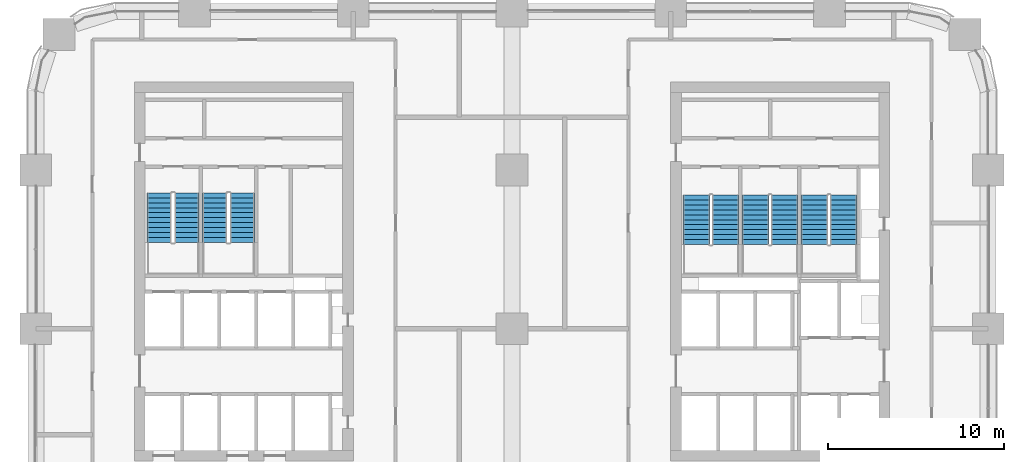
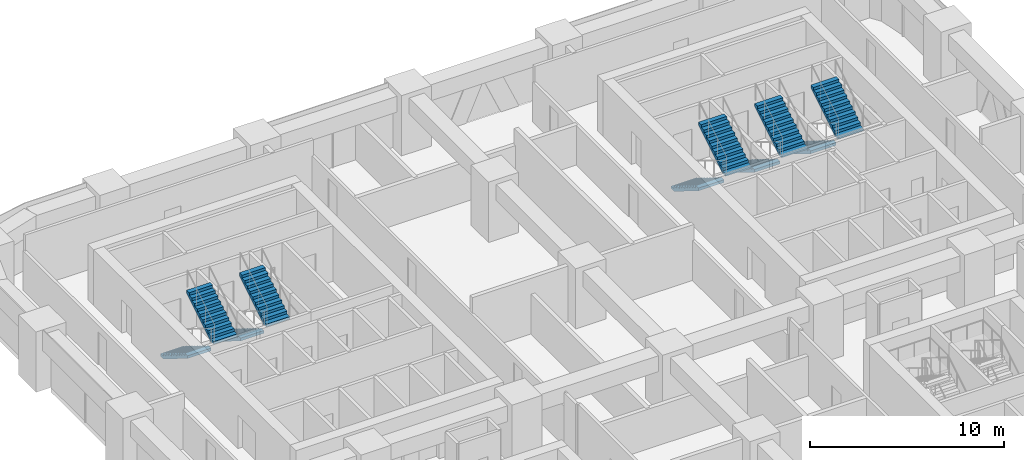
# One storey, part 19 of 21: 10 stair flights, 5 elements without a shape of their own.
"""IFC4 building model written with IfcOpenShell, lengths in metres."""

from ifc_helpers import new_model, si_unit, direction, frame, origin, place, context, subcontext, project, spatial, polyline, outline, extrude, material, type_object, element, aggregate, save


model = new_model("IFC4")

# Units and contexts
model_context = context("Model", 3, precision=1e-05, world=origin(), true_north=direction((0.0, 1.0)))
body_context = subcontext(model_context, "Body", "Model", "MODEL_VIEW")
ifc_project = project(units=[si_unit("LENGTHUNIT", "METRE"), si_unit("AREAUNIT", "SQUARE_METRE"), si_unit("VOLUMEUNIT", "CUBIC_METRE"), si_unit("PLANEANGLEUNIT", "RADIAN"), si_unit("MASSUNIT", "GRAM", prefix="KILO")], contexts=[model_context])

# Site, building, storey
site_placement = place(None, origin())
site = spatial("IfcSite", under=ifc_project, at=site_placement, CompositionType="ELEMENT")
building_placement = place(site_placement, origin())
building = spatial("IfcBuilding", under=site, at=building_placement, Name="Tessera Arch", CompositionType="ELEMENT")
storey_placement = place(building_placement, frame((0.0, 0.0, 65.199951171875)))
storey = spatial("IfcBuildingStorey", under=building, at=storey_placement, Name="L14", CompositionType="ELEMENT", Elevation=65.199951171875)

# Stair, stair flights
ifc_material_1 = material(Name="Concrete C40/50", Category="concrete")
stair_type_1 = type_object("IfcStairType", Name="Dogleg stair 1400", PredefinedType="HALF_TURN_STAIR", material=ifc_material_1)
stair_1_placement = place(storey_placement, origin())
stair_1 = element("IfcStair", 1, at=stair_1_placement, inside=storey, type_object=stair_type_1, Name="L14 S2a", PredefinedType="HALF_TURN_STAIR")
ifc_material_2 = material(Name="Concrete C40/50", Category="concrete")
stair_flight_type_1 = type_object("IfcStairFlightType", Name="Stair flight 1400", PredefinedType="STRAIGHT", material=ifc_material_2)
stair_flight_1_placement = place(storey_placement, frame((7.0, 43.699951171875, 0.0), z_axis=(0.0, 0.0, 1.0), x_axis=(0.0, -1.0, 0.0)))
stair_flight_1 = element("IfcStairFlight", 2, at=stair_flight_1_placement, type_object=stair_flight_type_1, Name="S2a flight 1", NumberOfRisers=11, NumberOfTreads=10, PredefinedType="STRAIGHT", RiserHeight=0.172727273, TreadLength=0.28, context=body_context, shape_type="SweptSolid", body=[
    extrude(outline(polyline([(0.0, 0.0), (0.0, 0.172607421875), (0.280029296875, 0.172607421875), (0.280029296875, 0.345458984375), (0.56005859375, 0.345458984375), (0.56005859375, 0.51806640625), (0.840087890625, 0.51806640625), (0.840087890625, 0.69091796875), (1.1201171875, 0.69091796875), (1.1201171875, 0.863525390625), (1.39990234375, 0.863525390625), (1.39990234375, 1.036376953125), (1.679931640625, 1.036376953125), (1.679931640625, 1.208984375), (1.9599609375, 1.208984375), (1.9599609375, 1.3818359375), (2.239990234375, 1.3818359375), (2.239990234375, 1.554443359375), (2.52001953125, 1.554443359375), (2.52001953125, 1.727294921875), (2.800048828125, 1.727294921875), (2.800048828125, 1.89990234375), (2.800048828125, 1.551025390625), (0.285400390625, 0.0), (0.0, 0.0)])), frame((0.0, 0.699951171875, 0.0), z_axis=(0.0, -1.0, 0.0), x_axis=(1.0, 0.0, 0.0)), (0.0, 0.0, 1.0), 1.39990234375),
])
stair_flight_2_placement = place(storey_placement, frame((8.550048828125, 40.89990234375, 1.900146484375), z_axis=(0.0, 0.0, 1.0), x_axis=(0.0, 1.0, 0.0)))
stair_flight_2 = element("IfcStairFlight", 3, at=stair_flight_2_placement, type_object=stair_flight_type_1, Name="S2a flight 2", NumberOfRisers=11, NumberOfTreads=10, PredefinedType="STRAIGHT", RiserHeight=0.172727273, TreadLength=0.28, context=body_context, shape_type="SweptSolid", body=[
    extrude(outline(polyline([(0.0, 0.0), (0.0, 0.172607421875), (0.280029296875, 0.172607421875), (0.280029296875, 0.345458984375), (0.56005859375, 0.345458984375), (0.56005859375, 0.51806640625), (0.840087890625, 0.51806640625), (0.840087890625, 0.69091796875), (1.1201171875, 0.69091796875), (1.1201171875, 0.863525390625), (1.39990234375, 0.863525390625), (1.39990234375, 1.036376953125), (1.679931640625, 1.036376953125), (1.679931640625, 1.208984375), (1.9599609375, 1.208984375), (1.9599609375, 1.3818359375), (2.239990234375, 1.3818359375), (2.239990234375, 1.554443359375), (2.52001953125, 1.554443359375), (2.52001953125, 1.727294921875), (2.800048828125, 1.727294921875), (2.800048828125, 1.89990234375), (2.800048828125, 1.551025390625), (0.285400390625, 0.0), (0.0, 0.0)])), frame((0.0, 0.699951171875, 0.0), z_axis=(0.0, -1.0, 0.0), x_axis=(1.0, 0.0, 0.0)), (0.0, 0.0, 1.0), 1.39990234375),
])
aggregate(stair_1, [stair_flight_1, stair_flight_2])

stair_2_placement = place(storey_placement, origin())
stair_2 = element("IfcStair", 4, at=stair_2_placement, inside=storey, type_object=stair_type_1, Name="L14 S2b", PredefinedType="HALF_TURN_STAIR")
stair_flight_3_placement = place(storey_placement, frame((10.14990234375, 43.699951171875, 0.0), z_axis=(0.0, 0.0, 1.0), x_axis=(0.0, -1.0, 0.0)))
stair_flight_3 = element("IfcStairFlight", 5, at=stair_flight_3_placement, type_object=stair_flight_type_1, Name="S2b flight 1", NumberOfRisers=11, NumberOfTreads=10, PredefinedType="STRAIGHT", RiserHeight=0.172727273, TreadLength=0.28, context=body_context, shape_type="SweptSolid", body=[
    extrude(outline(polyline([(0.0, 0.0), (0.0, 0.172607421875), (0.280029296875, 0.172607421875), (0.280029296875, 0.345458984375), (0.56005859375, 0.345458984375), (0.56005859375, 0.51806640625), (0.840087890625, 0.51806640625), (0.840087890625, 0.69091796875), (1.1201171875, 0.69091796875), (1.1201171875, 0.863525390625), (1.39990234375, 0.863525390625), (1.39990234375, 1.036376953125), (1.679931640625, 1.036376953125), (1.679931640625, 1.208984375), (1.9599609375, 1.208984375), (1.9599609375, 1.3818359375), (2.239990234375, 1.3818359375), (2.239990234375, 1.554443359375), (2.52001953125, 1.554443359375), (2.52001953125, 1.727294921875), (2.800048828125, 1.727294921875), (2.800048828125, 1.89990234375), (2.800048828125, 1.551025390625), (0.285400390625, 0.0), (0.0, 0.0)])), frame((0.0, 0.699951171875, 0.0), z_axis=(0.0, -1.0, 0.0), x_axis=(1.0, 0.0, 0.0)), (0.0, 0.0, 1.0), 1.39990234375),
])
stair_flight_4_placement = place(storey_placement, frame((11.699951171875, 40.89990234375, 1.900146484375), z_axis=(0.0, 0.0, 1.0), x_axis=(0.0, 1.0, 0.0)))
stair_flight_4 = element("IfcStairFlight", 6, at=stair_flight_4_placement, type_object=stair_flight_type_1, Name="S2b flight 2", NumberOfRisers=11, NumberOfTreads=10, PredefinedType="STRAIGHT", RiserHeight=0.172727273, TreadLength=0.28, context=body_context, shape_type="SweptSolid", body=[
    extrude(outline(polyline([(0.0, 0.0), (0.0, 0.172607421875), (0.280029296875, 0.172607421875), (0.280029296875, 0.345458984375), (0.56005859375, 0.345458984375), (0.56005859375, 0.51806640625), (0.840087890625, 0.51806640625), (0.840087890625, 0.69091796875), (1.1201171875, 0.69091796875), (1.1201171875, 0.863525390625), (1.39990234375, 0.863525390625), (1.39990234375, 1.036376953125), (1.679931640625, 1.036376953125), (1.679931640625, 1.208984375), (1.9599609375, 1.208984375), (1.9599609375, 1.3818359375), (2.239990234375, 1.3818359375), (2.239990234375, 1.554443359375), (2.52001953125, 1.554443359375), (2.52001953125, 1.727294921875), (2.800048828125, 1.727294921875), (2.800048828125, 1.89990234375), (2.800048828125, 1.551025390625), (0.285400390625, 0.0), (0.0, 0.0)])), frame((0.0, 0.699951171875, 0.0), z_axis=(0.0, -1.0, 0.0), x_axis=(1.0, 0.0, 0.0)), (0.0, 0.0, 1.0), 1.39990234375),
])
aggregate(stair_2, [stair_flight_3, stair_flight_4])

ifc_material_3 = material(Name="Concrete C40/50", Category="concrete")
stair_type_2 = type_object("IfcStairType", Name="Dogleg stair 1520", PredefinedType="HALF_TURN_STAIR", material=ifc_material_3)
stair_3_placement = place(storey_placement, origin())
stair_3 = element("IfcStair", 7, at=stair_3_placement, inside=storey, type_object=stair_type_2, Name="L14 S1a", PredefinedType="HALF_TURN_STAIR")
ifc_material_4 = material(Name="Concrete C40/50", Category="concrete")
stair_flight_type_2 = type_object("IfcStairFlightType", Name="Stair flight 1520", PredefinedType="STRAIGHT", material=ifc_material_4)
stair_flight_5_placement = place(storey_placement, frame((37.4599609375, 43.580078125, 0.0), z_axis=(0.0, 0.0, 1.0), x_axis=(0.0, -1.0, 0.0)))
stair_flight_5 = element("IfcStairFlight", 8, at=stair_flight_5_placement, type_object=stair_flight_type_2, Name="S1a flight 1", NumberOfRisers=11, NumberOfTreads=10, PredefinedType="STRAIGHT", RiserHeight=0.172727273, TreadLength=0.28, context=body_context, shape_type="SweptSolid", body=[
    extrude(outline(polyline([(0.0, 0.0), (0.0, 0.172607421875), (0.280029296875, 0.172607421875), (0.280029296875, 0.345458984375), (0.56005859375, 0.345458984375), (0.56005859375, 0.51806640625), (0.840087890625, 0.51806640625), (0.840087890625, 0.69091796875), (1.1201171875, 0.69091796875), (1.1201171875, 0.863525390625), (1.39990234375, 0.863525390625), (1.39990234375, 1.036376953125), (1.679931640625, 1.036376953125), (1.679931640625, 1.208984375), (1.9599609375, 1.208984375), (1.9599609375, 1.3818359375), (2.239990234375, 1.3818359375), (2.239990234375, 1.554443359375), (2.52001953125, 1.554443359375), (2.52001953125, 1.727294921875), (2.800048828125, 1.727294921875), (2.800048828125, 1.89990234375), (2.800048828125, 1.551025390625), (0.285400390625, 0.0), (0.0, 0.0)])), frame((0.0, 0.760009765625, 0.0), z_axis=(0.0, -1.0, 0.0), x_axis=(1.0, 0.0, 0.0)), (0.0, 0.0, 1.0), 1.52001953125),
])
stair_flight_6_placement = place(storey_placement, frame((39.090087890625, 40.780029296875, 1.900146484375), z_axis=(0.0, 0.0, 1.0), x_axis=(0.0, 1.0, 0.0)))
stair_flight_6 = element("IfcStairFlight", 9, at=stair_flight_6_placement, type_object=stair_flight_type_2, Name="S1a flight 2", NumberOfRisers=11, NumberOfTreads=10, PredefinedType="STRAIGHT", RiserHeight=0.172727273, TreadLength=0.28, context=body_context, shape_type="SweptSolid", body=[
    extrude(outline(polyline([(0.0, 0.0), (0.0, 0.172607421875), (0.280029296875, 0.172607421875), (0.280029296875, 0.345458984375), (0.56005859375, 0.345458984375), (0.56005859375, 0.51806640625), (0.840087890625, 0.51806640625), (0.840087890625, 0.69091796875), (1.1201171875, 0.69091796875), (1.1201171875, 0.863525390625), (1.39990234375, 0.863525390625), (1.39990234375, 1.036376953125), (1.679931640625, 1.036376953125), (1.679931640625, 1.208984375), (1.9599609375, 1.208984375), (1.9599609375, 1.3818359375), (2.239990234375, 1.3818359375), (2.239990234375, 1.554443359375), (2.52001953125, 1.554443359375), (2.52001953125, 1.727294921875), (2.800048828125, 1.727294921875), (2.800048828125, 1.89990234375), (2.800048828125, 1.551025390625), (0.285400390625, 0.0), (0.0, 0.0)])), frame((0.0, 0.760009765625, 0.0), z_axis=(0.0, -1.0, 0.0), x_axis=(1.0, 0.0, 0.0)), (0.0, 0.0, 1.0), 1.52001953125),
])
aggregate(stair_3, [stair_flight_5, stair_flight_6])

stair_4_placement = place(storey_placement, origin())
stair_4 = element("IfcStair", 10, at=stair_4_placement, inside=storey, type_object=stair_type_2, Name="L14 S1b", PredefinedType="HALF_TURN_STAIR")
stair_flight_7_placement = place(storey_placement, frame((40.81005859375, 43.580078125, 0.0), z_axis=(0.0, 0.0, 1.0), x_axis=(0.0, -1.0, 0.0)))
stair_flight_7 = element("IfcStairFlight", 11, at=stair_flight_7_placement, type_object=stair_flight_type_2, Name="S1b flight 1", NumberOfRisers=11, NumberOfTreads=10, PredefinedType="STRAIGHT", RiserHeight=0.172727273, TreadLength=0.28, context=body_context, shape_type="SweptSolid", body=[
    extrude(outline(polyline([(0.0, 0.0), (0.0, 0.172607421875), (0.280029296875, 0.172607421875), (0.280029296875, 0.345458984375), (0.56005859375, 0.345458984375), (0.56005859375, 0.51806640625), (0.840087890625, 0.51806640625), (0.840087890625, 0.69091796875), (1.1201171875, 0.69091796875), (1.1201171875, 0.863525390625), (1.39990234375, 0.863525390625), (1.39990234375, 1.036376953125), (1.679931640625, 1.036376953125), (1.679931640625, 1.208984375), (1.9599609375, 1.208984375), (1.9599609375, 1.3818359375), (2.239990234375, 1.3818359375), (2.239990234375, 1.554443359375), (2.52001953125, 1.554443359375), (2.52001953125, 1.727294921875), (2.800048828125, 1.727294921875), (2.800048828125, 1.89990234375), (2.800048828125, 1.551025390625), (0.285400390625, 0.0), (0.0, 0.0)])), frame((0.0, 0.760009765625, 0.0), z_axis=(0.0, -1.0, 0.0), x_axis=(1.0, 0.0, 0.0)), (0.0, 0.0, 1.0), 1.52001953125),
])
stair_flight_8_placement = place(storey_placement, frame((42.43994140625, 40.780029296875, 1.900146484375), z_axis=(0.0, 0.0, 1.0), x_axis=(0.0, 1.0, 0.0)))
stair_flight_8 = element("IfcStairFlight", 12, at=stair_flight_8_placement, type_object=stair_flight_type_2, Name="S1b flight 2", NumberOfRisers=11, NumberOfTreads=10, PredefinedType="STRAIGHT", RiserHeight=0.172727273, TreadLength=0.28, context=body_context, shape_type="SweptSolid", body=[
    extrude(outline(polyline([(0.0, 0.0), (0.0, 0.172607421875), (0.280029296875, 0.172607421875), (0.280029296875, 0.345458984375), (0.56005859375, 0.345458984375), (0.56005859375, 0.51806640625), (0.840087890625, 0.51806640625), (0.840087890625, 0.69091796875), (1.1201171875, 0.69091796875), (1.1201171875, 0.863525390625), (1.39990234375, 0.863525390625), (1.39990234375, 1.036376953125), (1.679931640625, 1.036376953125), (1.679931640625, 1.208984375), (1.9599609375, 1.208984375), (1.9599609375, 1.3818359375), (2.239990234375, 1.3818359375), (2.239990234375, 1.554443359375), (2.52001953125, 1.554443359375), (2.52001953125, 1.727294921875), (2.800048828125, 1.727294921875), (2.800048828125, 1.89990234375), (2.800048828125, 1.551025390625), (0.285400390625, 0.0), (0.0, 0.0)])), frame((0.0, 0.760009765625, 0.0), z_axis=(0.0, -1.0, 0.0), x_axis=(1.0, 0.0, 0.0)), (0.0, 0.0, 1.0), 1.52001953125),
])
aggregate(stair_4, [stair_flight_7, stair_flight_8])

stair_5_placement = place(storey_placement, origin())
stair_5 = element("IfcStair", 13, at=stair_5_placement, inside=storey, type_object=stair_type_2, Name="L14 S1c", PredefinedType="HALF_TURN_STAIR")
stair_flight_9_placement = place(storey_placement, frame((44.159912109375, 43.580078125, 0.0), z_axis=(0.0, 0.0, 1.0), x_axis=(0.0, -1.0, 0.0)))
stair_flight_9 = element("IfcStairFlight", 14, at=stair_flight_9_placement, type_object=stair_flight_type_2, Name="S1c flight 1", NumberOfRisers=11, NumberOfTreads=10, PredefinedType="STRAIGHT", RiserHeight=0.172727273, TreadLength=0.28, context=body_context, shape_type="SweptSolid", body=[
    extrude(outline(polyline([(0.0, 0.0), (0.0, 0.172607421875), (0.280029296875, 0.172607421875), (0.280029296875, 0.345458984375), (0.56005859375, 0.345458984375), (0.56005859375, 0.51806640625), (0.840087890625, 0.51806640625), (0.840087890625, 0.69091796875), (1.1201171875, 0.69091796875), (1.1201171875, 0.863525390625), (1.39990234375, 0.863525390625), (1.39990234375, 1.036376953125), (1.679931640625, 1.036376953125), (1.679931640625, 1.208984375), (1.9599609375, 1.208984375), (1.9599609375, 1.3818359375), (2.239990234375, 1.3818359375), (2.239990234375, 1.554443359375), (2.52001953125, 1.554443359375), (2.52001953125, 1.727294921875), (2.800048828125, 1.727294921875), (2.800048828125, 1.89990234375), (2.800048828125, 1.551025390625), (0.285400390625, 0.0), (0.0, 0.0)])), frame((0.0, 0.760009765625, 0.0), z_axis=(0.0, -1.0, 0.0), x_axis=(1.0, 0.0, 0.0)), (0.0, 0.0, 1.0), 1.52001953125),
])
stair_flight_10_placement = place(storey_placement, frame((45.7900390625, 40.780029296875, 1.900146484375), z_axis=(0.0, 0.0, 1.0), x_axis=(0.0, 1.0, 0.0)))
stair_flight_10 = element("IfcStairFlight", 15, at=stair_flight_10_placement, type_object=stair_flight_type_2, Name="S1c flight 2", NumberOfRisers=11, NumberOfTreads=10, PredefinedType="STRAIGHT", RiserHeight=0.172727273, TreadLength=0.28, context=body_context, shape_type="SweptSolid", body=[
    extrude(outline(polyline([(0.0, 0.0), (0.0, 0.172607421875), (0.280029296875, 0.172607421875), (0.280029296875, 0.345458984375), (0.56005859375, 0.345458984375), (0.56005859375, 0.51806640625), (0.840087890625, 0.51806640625), (0.840087890625, 0.69091796875), (1.1201171875, 0.69091796875), (1.1201171875, 0.863525390625), (1.39990234375, 0.863525390625), (1.39990234375, 1.036376953125), (1.679931640625, 1.036376953125), (1.679931640625, 1.208984375), (1.9599609375, 1.208984375), (1.9599609375, 1.3818359375), (2.239990234375, 1.3818359375), (2.239990234375, 1.554443359375), (2.52001953125, 1.554443359375), (2.52001953125, 1.727294921875), (2.800048828125, 1.727294921875), (2.800048828125, 1.89990234375), (2.800048828125, 1.551025390625), (0.285400390625, 0.0), (0.0, 0.0)])), frame((0.0, 0.760009765625, 0.0), z_axis=(0.0, -1.0, 0.0), x_axis=(1.0, 0.0, 0.0)), (0.0, 0.0, 1.0), 1.52001953125),
])
aggregate(stair_5, [stair_flight_9, stair_flight_10])

save(model, "model.ifc")
